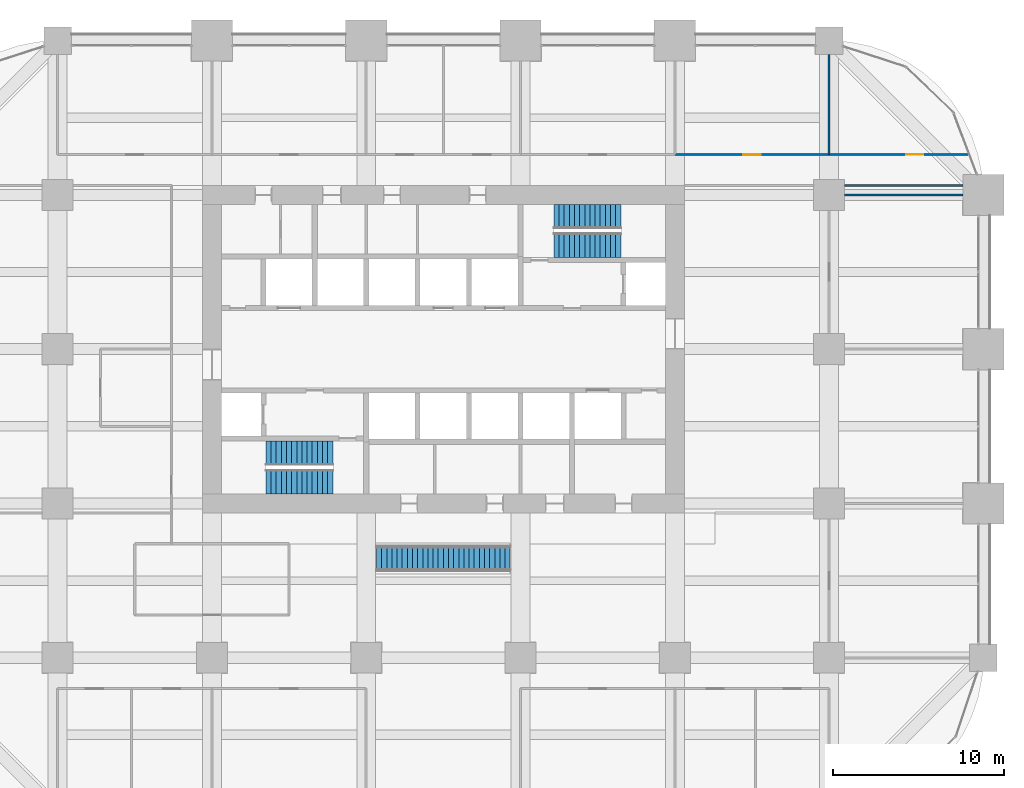
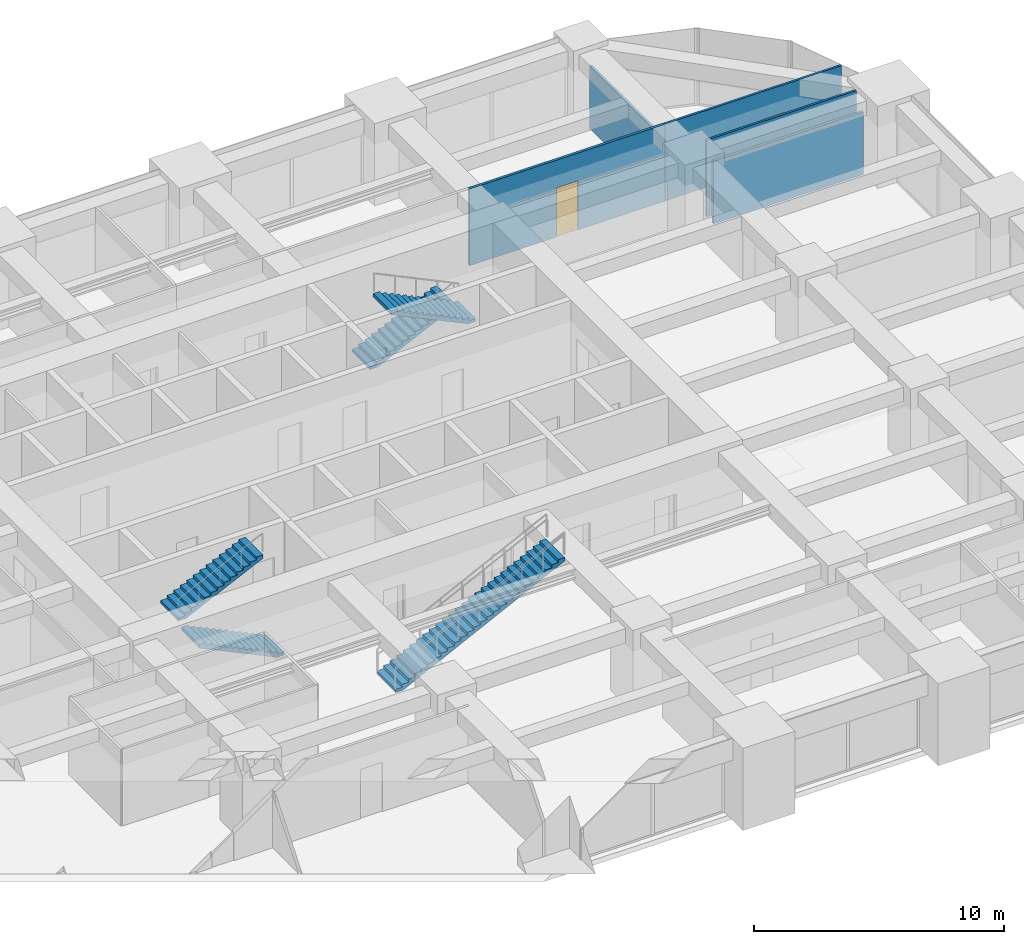
# One storey, part 39 of 41: 5 stair flights, 5 walls, 2 doors, 2 openings, 3 elements without a shape of their own.
"""IFC4 building model written with IfcOpenShell, lengths in metres."""

from ifc_helpers import new_model, si_unit, direction, frame, frame_2d, origin, place, context, subcontext, project, spatial, polyline, rectangle, outline, extrude, material, layer, layer_set, constituent, constituent_set, type_object, element, fill, aggregate, save


model = new_model("IFC4")

# Units and contexts
model_context = context("Model", 3, precision=1e-05, world=origin(), true_north=direction((0.0, 1.0)))
body_context = subcontext(model_context, "Body", "Model", "MODEL_VIEW")
ifc_project = project(units=[si_unit("LENGTHUNIT", "METRE"), si_unit("AREAUNIT", "SQUARE_METRE"), si_unit("VOLUMEUNIT", "CUBIC_METRE"), si_unit("PLANEANGLEUNIT", "RADIAN"), si_unit("MASSUNIT", "GRAM", prefix="KILO")], contexts=[model_context])

# Site, building, storey
site_placement = place(None, origin())
site = spatial("IfcSite", under=ifc_project, at=site_placement, CompositionType="ELEMENT")
building_placement = place(site_placement, origin())
building = spatial("IfcBuilding", under=site, at=building_placement, Name="Zorevar Civic Tower", CompositionType="ELEMENT")
storey_placement = place(building_placement, frame((0.0, 0.0, 137.0)))
storey = spatial("IfcBuildingStorey", under=building, at=storey_placement, Name="L33", CompositionType="ELEMENT", Elevation=137.0)

# Wall
ifc_material_1 = material(Name="Laminated glass in black aluminium frame", Category="aluminium")
ifc_layer_1 = layer(ifc_material_1, 0.10009765625)
ifc_layer_set_1 = layer_set([ifc_layer_1], Name="Glazed partition 100")
wall_type_1 = type_object("IfcWallType", Name="Glazed partition 100", PredefinedType="PARTITIONING", material=ifc_layer_set_1)
wall_1_placement = place(storey_placement, frame((54.89990234375, 36.550048828125, 0.0), z_axis=(0.0, 0.0, 1.0), x_axis=(1.0, 0.0, 0.0)))
element("IfcWall", 1, at=wall_1_placement, inside=storey, type_object=wall_type_1, Name="Glazed partition 100 L33", PredefinedType="PARTITIONING", context=body_context, shape_type="SweptSolid", body=[
    extrude(rectangle(XDim=6.900146484375, YDim=0.10009765625, at=frame_2d((3.4501953125, 0.0))), origin(), (0.0, 0.0, 1.0), 3.75),
])

# Wall, opening, door
wall_2_placement = place(storey_placement, frame((54.0, 38.35009765625, 0.0), z_axis=(0.0, 0.0, 1.0), x_axis=(1.0, 0.0, 0.0)))
wall_2 = element("IfcWall", 2, at=wall_2_placement, inside=storey, type_object=wall_type_1, Name="Glazed partition 100 L33", PredefinedType="PARTITIONING", context=body_context, shape_type="SweptSolid", body=[
    extrude(rectangle(XDim=8.1455078125, YDim=0.10009765625, at=frame_2d((4.07275390625, 0.0))), origin(), (0.0, 0.0, 1.0), 3.75),
])
opening_1_placement = place(wall_2_placement, frame((4.5, 0.0, 0.0)))
opening_1 = element("IfcOpeningElement", 3, at=opening_1_placement, cuts=wall_2, Name="Opening L33.30", PredefinedType="OPENING", context=body_context, shape_type="SweptSolid", body=[
    extrude(rectangle(XDim=1.0, YDim=2.39990234375, at=frame_2d((0.5, 1.199951171875))), frame((0.0, 0.06005859375, 0.0), z_axis=(0.0, -1.0, 0.0), x_axis=(1.0, 0.0, 0.0)), (0.0, 0.0, 1.0), 0.1201171875),
])
ifc_material_2 = material(Name="Timber door set", Category="wood")
door_type_1 = type_object("IfcDoorType", Name="Glazed door GD1 1000x2400", OperationType="SINGLE_SWING_LEFT", PredefinedType="DOOR", material=ifc_material_2)
door_1_placement = place(opening_1_placement, origin())
door_1 = element("IfcDoor", 4, at=door_1_placement, inside=storey, type_object=door_type_1, Name="Door L33 D1", OperationType="SINGLE_SWING_RIGHT", OverallHeight=2.39990234375, OverallWidth=1.0, PredefinedType="DOOR", context=body_context, shape_type="SweptSolid", body=[
    extrude(rectangle(XDim=1.0, YDim=2.39990234375, at=frame_2d((0.5, 1.199951171875))), frame((0.0, 0.02001953125, 0.0), z_axis=(0.0, -1.0, 0.0), x_axis=(1.0, 0.0, 0.0)), (0.0, 0.0, 1.0), 0.0400390625),
])
fill(opening_1, door_1)

# Wall
ifc_material_3 = material(Name="Gypsum board on steel studs", Category="steel")
ifc_layer_2 = layer(ifc_material_3, 0.1201171875)
ifc_layer_set_2 = layer_set([ifc_layer_2], Name="Partition 120")
wall_type_2 = type_object("IfcWallType", Name="Partition 120", PredefinedType="PARTITIONING", material=ifc_layer_set_2)
wall_3_placement = place(storey_placement, frame((54.89990234375, 36.0, 0.0), z_axis=(0.0, 0.0, 1.0), x_axis=(1.0, 0.0, 0.0)))
element("IfcWall", 5, at=wall_3_placement, inside=storey, type_object=wall_type_2, Name="Partition 120 L33", PredefinedType="PARTITIONING", context=body_context, shape_type="SweptSolid", body=[
    extrude(rectangle(XDim=6.900146484375, YDim=0.1201171875, at=frame_2d((3.4501953125, 0.0))), origin(), (0.0, 0.0, 1.0), 3.050048828125),
])

# Wall, opening, door
wall_4_placement = place(storey_placement, frame((45.0, 38.35009765625, 0.0), z_axis=(0.0, 0.0, 1.0), x_axis=(1.0, 0.0, 0.0)))
wall_4 = element("IfcWall", 6, at=wall_4_placement, inside=storey, type_object=wall_type_2, Name="Partition 120 L33", PredefinedType="PARTITIONING", context=body_context, shape_type="SweptSolid", body=[
    extrude(rectangle(XDim=9.0, YDim=0.1201171875, at=frame_2d((4.5, 0.0))), origin(), (0.0, 0.0, 1.0), 3.75),
])
opening_2_placement = place(wall_4_placement, frame((4.0, 0.0, 0.0)))
opening_2 = element("IfcOpeningElement", 7, at=opening_2_placement, cuts=wall_4, Name="Opening L33.29", PredefinedType="OPENING", context=body_context, shape_type="SweptSolid", body=[
    extrude(rectangle(XDim=1.0, YDim=2.39990234375, at=frame_2d((0.5, 1.199951171875))), frame((0.0, 0.070068359375, 0.0), z_axis=(0.0, -1.0, 0.0), x_axis=(1.0, 0.0, 0.0)), (0.0, 0.0, 1.0), 0.14013671875),
])
ifc_material_4 = material(Name="Timber door set", Category="wood")
door_type_2 = type_object("IfcDoorType", Name="Door D1 1000x2400", OperationType="SINGLE_SWING_LEFT", PredefinedType="DOOR", material=ifc_material_4)
door_2_placement = place(opening_2_placement, origin())
door_2 = element("IfcDoor", 8, at=door_2_placement, inside=storey, type_object=door_type_2, Name="Door L33 D1", OperationType="SINGLE_SWING_RIGHT", OverallHeight=2.39990234375, OverallWidth=1.0, PredefinedType="DOOR", context=body_context, shape_type="SweptSolid", body=[
    extrude(rectangle(XDim=1.0, YDim=2.39990234375, at=frame_2d((0.5, 1.199951171875))), frame((0.0, 0.02490234375, 0.0), z_axis=(0.0, -1.0, 0.0), x_axis=(1.0, 0.0, 0.0)), (0.0, 0.0, 1.0), 0.050048828125),
])
fill(opening_2, door_2)

# Wall
wall_5_placement = place(storey_placement, frame((54.0, 38.35009765625, 0.0), z_axis=(0.0, 0.0, 1.0), x_axis=(0.0, 1.0, 0.0)))
element("IfcWall", 9, at=wall_5_placement, inside=storey, type_object=wall_type_2, Name="Partition 120 L33", PredefinedType="PARTITIONING", context=body_context, shape_type="SweptSolid", body=[
    extrude(rectangle(XDim=5.849853515625, YDim=0.1201171875, at=frame_2d((2.9248046875, 0.0))), origin(), (0.0, 0.0, 1.0), 3.050048828125),
])

# Stair, stair flight
ifc_material_5 = material(Name="Steel S355", Category="steel")
ifc_constituent_1 = constituent(ifc_material_5, Name="Structure")
ifc_material_6 = material(Name="Stone treads", Category="masonry")
ifc_constituent_2 = constituent(ifc_material_6, Name="Finish")
ifc_constituent_set_1 = constituent_set(constituents=[ifc_constituent_1, ifc_constituent_2], Name="Steel S355")
stair_type_1 = type_object("IfcStairType", Name="Interconnecting stair IS1", PredefinedType="STRAIGHT_RUN_STAIR", material=ifc_constituent_set_1)
stair_1_placement = place(storey_placement, origin())
stair_1 = element("IfcStair", 10, at=stair_1_placement, inside=storey, type_object=stair_type_1, Name="Interconnecting stair IS1 L33 to L34", PredefinedType="STRAIGHT_RUN_STAIR")
ifc_material_7 = material(Name="Steel S355", Category="steel")
ifc_constituent_3 = constituent(ifc_material_7, Name="Structure")
ifc_material_8 = material(Name="Stone treads", Category="masonry")
ifc_constituent_4 = constituent(ifc_material_8, Name="Finish")
ifc_constituent_set_2 = constituent_set(constituents=[ifc_constituent_3, ifc_constituent_4], Name="Steel S355")
stair_flight_type_1 = type_object("IfcStairFlightType", Name="Interconnecting stair flight", PredefinedType="STRAIGHT", material=ifc_constituent_set_2)
stair_flight_1_placement = place(storey_placement, frame((27.60009765625, 14.800048828125, 0.0), z_axis=(0.0, 0.0, 1.0), x_axis=(1.0, 0.0, 0.0)))
stair_flight_1 = element("IfcStairFlight", 11, at=stair_flight_1_placement, type_object=stair_flight_type_1, Name="IS1 flight 1", NumberOfRisers=27, NumberOfTreads=26, PredefinedType="STRAIGHT", RiserHeight=0.148148148, TreadLength=0.3, context=body_context, shape_type="SweptSolid", body=[
    extrude(outline(polyline([(0.0, 0.0), (0.0, 0.148193359375), (0.300048828125, 0.148193359375), (0.300048828125, 0.29638671875), (0.60009765625, 0.29638671875), (0.60009765625, 0.4443359375), (0.89990234375, 0.4443359375), (0.89990234375, 0.592529296875), (1.199951171875, 0.592529296875), (1.199951171875, 0.74072265625), (1.5, 0.74072265625), (1.5, 0.888916015625), (1.800048828125, 0.888916015625), (1.800048828125, 1.037109375), (2.10009765625, 1.037109375), (2.10009765625, 1.185302734375), (2.39990234375, 1.185302734375), (2.39990234375, 1.333251953125), (2.699951171875, 1.333251953125), (2.699951171875, 1.4814453125), (3.0, 1.4814453125), (3.0, 1.629638671875), (3.300048828125, 1.629638671875), (3.300048828125, 1.77783203125), (3.60009765625, 1.77783203125), (3.60009765625, 1.926025390625), (3.89990234375, 1.926025390625), (3.89990234375, 2.073974609375), (4.199951171875, 2.073974609375), (4.199951171875, 2.22216796875), (4.5, 2.22216796875), (4.5, 2.370361328125), (4.800048828125, 2.370361328125), (4.800048828125, 2.5185546875), (5.10009765625, 2.5185546875), (5.10009765625, 2.666748046875), (5.39990234375, 2.666748046875), (5.39990234375, 2.814697265625), (5.699951171875, 2.814697265625), (5.699951171875, 2.962890625), (6.0, 2.962890625), (6.0, 3.111083984375), (6.300048828125, 3.111083984375), (6.300048828125, 3.25927734375), (6.60009765625, 3.25927734375), (6.60009765625, 3.407470703125), (6.89990234375, 3.407470703125), (6.89990234375, 3.5556640625), (7.199951171875, 3.5556640625), (7.199951171875, 3.70361328125), (7.5, 3.70361328125), (7.5, 3.851806640625), (7.800048828125, 3.851806640625), (7.800048828125, 4.0), (7.800048828125, 3.6845703125), (0.338623046875, 0.0), (0.0, 0.0)])), frame((0.0, 0.75, 0.0), z_axis=(0.0, -1.0, 0.0), x_axis=(1.0, 0.0, 0.0)), (0.0, 0.0, 1.0), 1.5),
])
aggregate(stair_1, [stair_flight_1])

# Stair, stair flights
ifc_material_9 = material(Name="Precast concrete C40/50", Category="concrete")
stair_type_2 = type_object("IfcStairType", Name="Stair ST 28R", PredefinedType="HALF_TURN_STAIR", material=ifc_material_9)
stair_2_placement = place(storey_placement, origin())
stair_2 = element("IfcStair", 12, at=stair_2_placement, inside=storey, type_object=stair_type_2, Name="Stair ST1 L33", PredefinedType="HALF_TURN_STAIR")
ifc_material_10 = material(Name="Precast concrete C40/50", Category="concrete")
stair_flight_type_2 = type_object("IfcStairFlightType", Name="Stair flight", PredefinedType="STRAIGHT", material=ifc_material_10)
stair_flight_2_placement = place(storey_placement, frame((25.050048828125, 19.262451171875, 0.0), z_axis=(0.0, 0.0, 1.0), x_axis=(-1.0, 0.0, 0.0)))
stair_flight_2 = element("IfcStairFlight", 13, at=stair_flight_2_placement, type_object=stair_flight_type_2, Name="ST1 flight 1", NumberOfRisers=14, NumberOfTreads=13, PredefinedType="STRAIGHT", RiserHeight=0.142857143, TreadLength=0.3, context=body_context, shape_type="SweptSolid", body=[
    extrude(outline(polyline([(0.0, 0.0), (0.0, 0.142822265625), (0.300048828125, 0.142822265625), (0.300048828125, 0.28564453125), (0.60009765625, 0.28564453125), (0.60009765625, 0.428466796875), (0.89990234375, 0.428466796875), (0.89990234375, 0.571533203125), (1.199951171875, 0.571533203125), (1.199951171875, 0.71435546875), (1.5, 0.71435546875), (1.5, 0.857177734375), (1.800048828125, 0.857177734375), (1.800048828125, 1.0), (2.10009765625, 1.0), (2.10009765625, 1.142822265625), (2.39990234375, 1.142822265625), (2.39990234375, 1.28564453125), (2.699951171875, 1.28564453125), (2.699951171875, 1.428466796875), (3.0, 1.428466796875), (3.0, 1.571533203125), (3.300048828125, 1.571533203125), (3.300048828125, 1.71435546875), (3.60009765625, 1.71435546875), (3.60009765625, 1.857177734375), (3.89990234375, 1.857177734375), (3.89990234375, 2.0), (3.89990234375, 1.691162109375), (0.3486328125, 0.0), (0.0, 0.0)])), frame((0.0, 0.71240234375, 0.0), z_axis=(0.0, -1.0, 0.0), x_axis=(1.0, 0.0, 0.0)), (0.0, 0.0, 1.0), 1.425048828125),
])
stair_flight_3_placement = place(storey_placement, frame((21.14990234375, 20.9375, 2.0), z_axis=(0.0, 0.0, 1.0), x_axis=(1.0, 0.0, 0.0)))
stair_flight_3 = element("IfcStairFlight", 14, at=stair_flight_3_placement, type_object=stair_flight_type_2, Name="ST1 flight 2", NumberOfRisers=14, NumberOfTreads=13, PredefinedType="STRAIGHT", RiserHeight=0.142857143, TreadLength=0.3, context=body_context, shape_type="SweptSolid", body=[
    extrude(outline(polyline([(0.0, 0.0), (0.0, 0.142822265625), (0.300048828125, 0.142822265625), (0.300048828125, 0.28564453125), (0.60009765625, 0.28564453125), (0.60009765625, 0.428466796875), (0.89990234375, 0.428466796875), (0.89990234375, 0.571533203125), (1.199951171875, 0.571533203125), (1.199951171875, 0.71435546875), (1.5, 0.71435546875), (1.5, 0.857177734375), (1.800048828125, 0.857177734375), (1.800048828125, 1.0), (2.10009765625, 1.0), (2.10009765625, 1.142822265625), (2.39990234375, 1.142822265625), (2.39990234375, 1.28564453125), (2.699951171875, 1.28564453125), (2.699951171875, 1.428466796875), (3.0, 1.428466796875), (3.0, 1.571533203125), (3.300048828125, 1.571533203125), (3.300048828125, 1.71435546875), (3.60009765625, 1.71435546875), (3.60009765625, 1.857177734375), (3.89990234375, 1.857177734375), (3.89990234375, 2.0), (3.89990234375, 1.691162109375), (0.3486328125, 0.0), (0.0, 0.0)])), frame((0.0, 0.71240234375, 0.0), z_axis=(0.0, -1.0, 0.0), x_axis=(1.0, 0.0, 0.0)), (0.0, 0.0, 1.0), 1.425048828125),
])
aggregate(stair_2, [stair_flight_2, stair_flight_3])

stair_3_placement = place(storey_placement, origin())
stair_3 = element("IfcStair", 15, at=stair_3_placement, inside=storey, type_object=stair_type_2, Name="Stair ST2 L33", PredefinedType="HALF_TURN_STAIR")
stair_flight_4_placement = place(storey_placement, frame((37.949951171875, 34.737548828125, 0.0), z_axis=(0.0, 0.0, 1.0), x_axis=(1.0, 0.0, 0.0)))
stair_flight_4 = element("IfcStairFlight", 16, at=stair_flight_4_placement, type_object=stair_flight_type_2, Name="ST2 flight 1", NumberOfRisers=14, NumberOfTreads=13, PredefinedType="STRAIGHT", RiserHeight=0.142857143, TreadLength=0.3, context=body_context, shape_type="SweptSolid", body=[
    extrude(outline(polyline([(0.0, 0.0), (0.0, 0.142822265625), (0.300048828125, 0.142822265625), (0.300048828125, 0.28564453125), (0.60009765625, 0.28564453125), (0.60009765625, 0.428466796875), (0.89990234375, 0.428466796875), (0.89990234375, 0.571533203125), (1.199951171875, 0.571533203125), (1.199951171875, 0.71435546875), (1.5, 0.71435546875), (1.5, 0.857177734375), (1.800048828125, 0.857177734375), (1.800048828125, 1.0), (2.10009765625, 1.0), (2.10009765625, 1.142822265625), (2.39990234375, 1.142822265625), (2.39990234375, 1.28564453125), (2.699951171875, 1.28564453125), (2.699951171875, 1.428466796875), (3.0, 1.428466796875), (3.0, 1.571533203125), (3.300048828125, 1.571533203125), (3.300048828125, 1.71435546875), (3.60009765625, 1.71435546875), (3.60009765625, 1.857177734375), (3.89990234375, 1.857177734375), (3.89990234375, 2.0), (3.89990234375, 1.691162109375), (0.3486328125, 0.0), (0.0, 0.0)])), frame((0.0, 0.71240234375, 0.0), z_axis=(0.0, -1.0, 0.0), x_axis=(1.0, 0.0, 0.0)), (0.0, 0.0, 1.0), 1.425048828125),
])
stair_flight_5_placement = place(storey_placement, frame((41.85009765625, 33.0625, 2.0), z_axis=(0.0, 0.0, 1.0), x_axis=(-1.0, 0.0, 0.0)))
stair_flight_5 = element("IfcStairFlight", 17, at=stair_flight_5_placement, type_object=stair_flight_type_2, Name="ST2 flight 2", NumberOfRisers=14, NumberOfTreads=13, PredefinedType="STRAIGHT", RiserHeight=0.142857143, TreadLength=0.3, context=body_context, shape_type="SweptSolid", body=[
    extrude(outline(polyline([(0.0, 0.0), (0.0, 0.142822265625), (0.300048828125, 0.142822265625), (0.300048828125, 0.28564453125), (0.60009765625, 0.28564453125), (0.60009765625, 0.428466796875), (0.89990234375, 0.428466796875), (0.89990234375, 0.571533203125), (1.199951171875, 0.571533203125), (1.199951171875, 0.71435546875), (1.5, 0.71435546875), (1.5, 0.857177734375), (1.800048828125, 0.857177734375), (1.800048828125, 1.0), (2.10009765625, 1.0), (2.10009765625, 1.142822265625), (2.39990234375, 1.142822265625), (2.39990234375, 1.28564453125), (2.699951171875, 1.28564453125), (2.699951171875, 1.428466796875), (3.0, 1.428466796875), (3.0, 1.571533203125), (3.300048828125, 1.571533203125), (3.300048828125, 1.71435546875), (3.60009765625, 1.71435546875), (3.60009765625, 1.857177734375), (3.89990234375, 1.857177734375), (3.89990234375, 2.0), (3.89990234375, 1.691162109375), (0.3486328125, 0.0), (0.0, 0.0)])), frame((0.0, 0.71240234375, 0.0), z_axis=(0.0, -1.0, 0.0), x_axis=(1.0, 0.0, 0.0)), (0.0, 0.0, 1.0), 1.425048828125),
])
aggregate(stair_3, [stair_flight_4, stair_flight_5])

save(model, "model.ifc")
